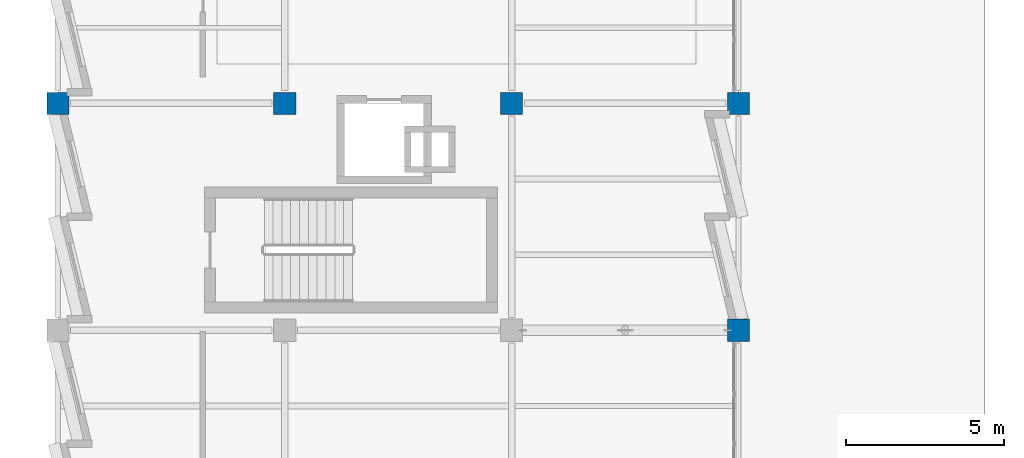
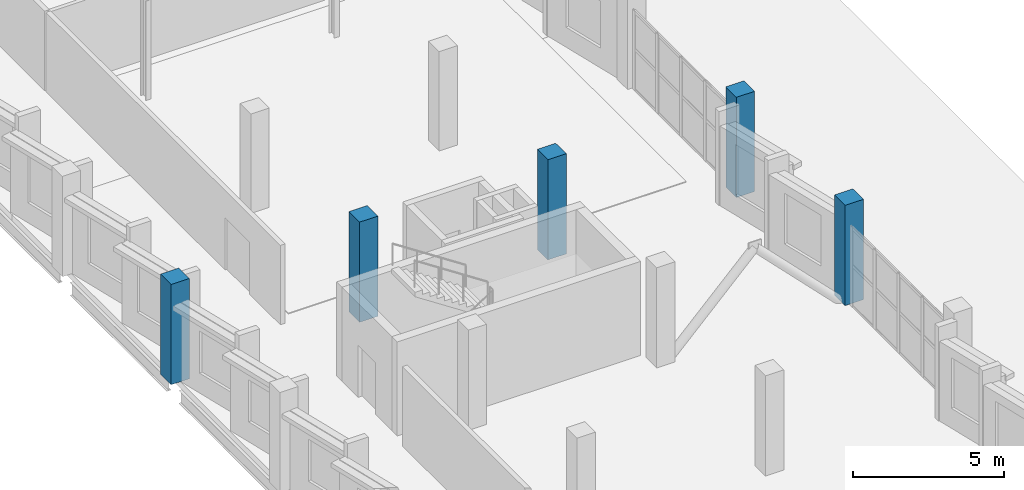
# One storey, part 4 of 38: 5 columns.
"""IFC4 building model written with IfcOpenShell, lengths in metres."""

from ifc_helpers import new_model, si_unit, direction, frame, origin, origin_2d, place, context, subcontext, project, spatial, rectangle, extrude, material, material_profile, profile_set, type_object, element, save


model = new_model("IFC4")

# Units and contexts
model_context = context("Model", 3, precision=1e-05, world=origin(), true_north=direction((0.0, 1.0)))
body_context = subcontext(model_context, "Body", "Model", "MODEL_VIEW")
ifc_project = project(units=[si_unit("LENGTHUNIT", "METRE"), si_unit("AREAUNIT", "SQUARE_METRE"), si_unit("VOLUMEUNIT", "CUBIC_METRE"), si_unit("PLANEANGLEUNIT", "RADIAN"), si_unit("MASSUNIT", "GRAM", prefix="KILO")], contexts=[model_context])

# Site, building, storey
site_placement = place(None, origin())
site = spatial("IfcSite", under=ifc_project, at=site_placement, CompositionType="ELEMENT")
building_placement = place(site_placement, origin())
building = spatial("IfcBuilding", under=site, at=building_placement, Name="Kalmorath City Hall", CompositionType="ELEMENT")
storey_placement = place(building_placement, frame((0.0, 0.0, 18.89990234375)))
storey = spatial("IfcBuildingStorey", under=building, at=storey_placement, Name="L04", CompositionType="ELEMENT", Elevation=18.89990234375)

# Columns
ifc_material = material(Name="Concrete C50/60", Category="concrete")
ifc_material_profile = material_profile(ifc_material, rectangle(XDim=0.699951171875, YDim=0.699951171875, at=origin_2d()), Name="RC-COL-700X700")
ifc_profile_set = profile_set([ifc_material_profile], Name="Concrete C50/60")
column_type = type_object("IfcColumnType", Name="Concrete column 700x700", PredefinedType="COLUMN", material=ifc_profile_set)
for number, where, z_axis, x_axis, name in (
    (1, (0.0, 57.60009765625, 0.0), (0.0, 0.0, 1.0), (1.0, 0.0, 0.0), "L04 column C4 (1/9)"),
    (2, (7.199951171875, 57.60009765625, 0.0), (0.0, 0.0, 1.0), (1.0, 0.0, 0.0), "L04 column C4 (2/9)"),
    (3, (14.39990234375, 57.60009765625, 0.0), (0.0, 0.0, 1.0), (1.0, 0.0, 0.0), "L04 column C4 (3/9)"),
    (4, (21.60009765625, 50.39990234375, 0.0), (0.0, 0.0, 1.0), (1.0, 0.0, 0.0), "L04 column C4 (4/8)"),
    (5, (21.60009765625, 57.60009765625, 0.0), (0.0, 0.0, 1.0), (1.0, 0.0, 0.0), "L04 column C4 (4/9)"),
):
    element("IfcColumn", number, at=place(storey_placement, frame(where, z_axis=z_axis, x_axis=x_axis)), inside=storey, type_object=column_type, Name=name, PredefinedType="COLUMN", context=body_context, shape_type="SweptSolid", body=[
        extrude(rectangle(XDim=0.699951171875, YDim=0.699951171875, at=origin_2d()), origin(), (0.0, 0.0, 1.0), 4.050048828125),
    ])

save(model, "model.ifc")
